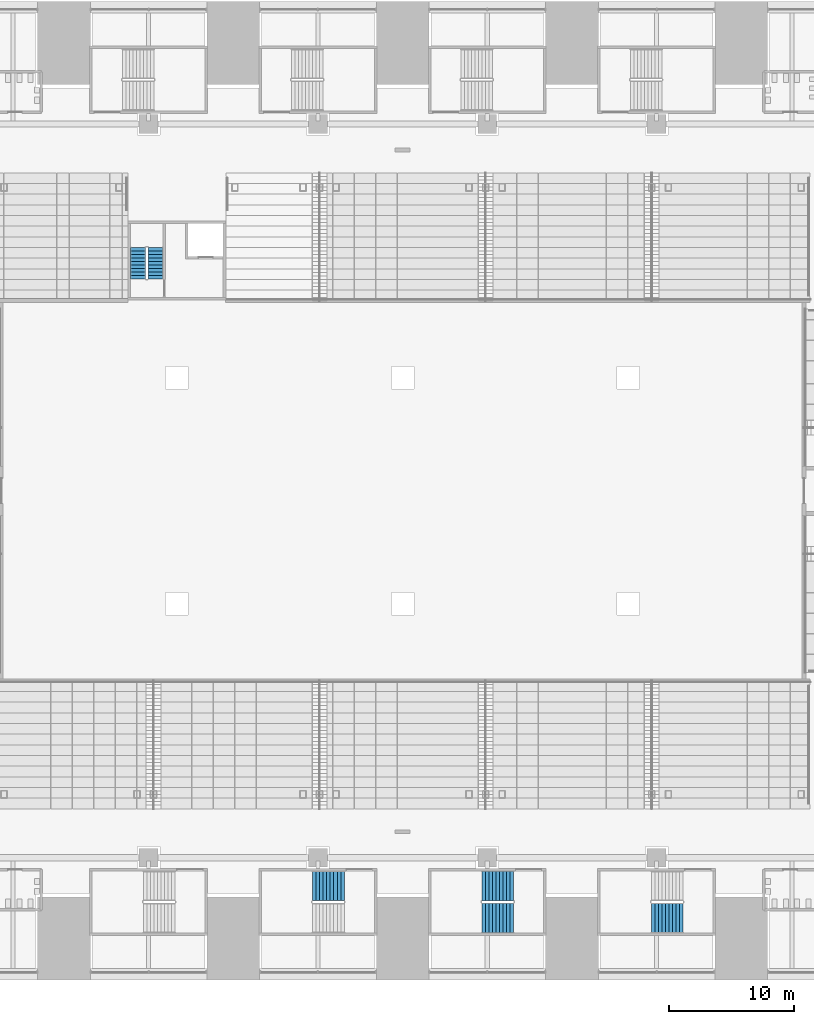
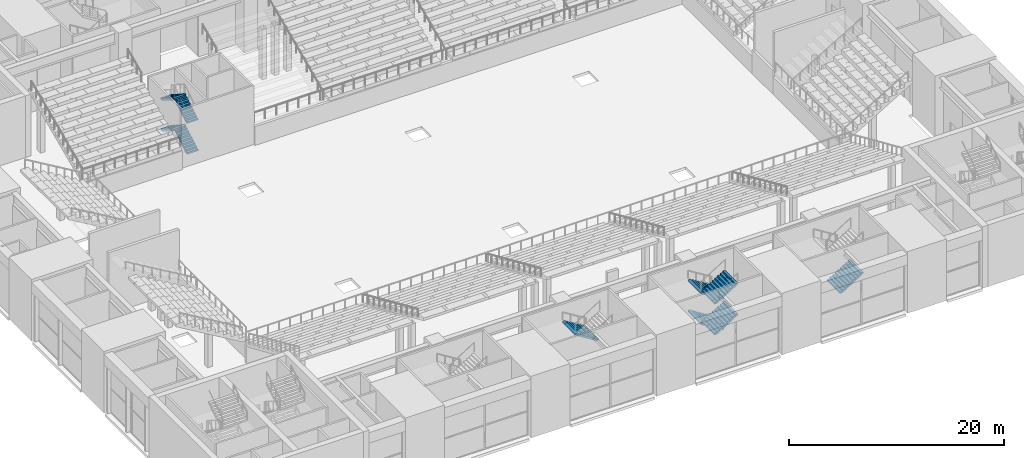
# One storey, part 44 of 62: 10 stair flights, 4 elements without a shape of their own.
"""IFC4 building model written with IfcOpenShell, lengths in metres."""

from ifc_helpers import new_model, si_unit, direction, frame, origin, place, context, subcontext, project, spatial, polyline, outline, extrude, material, type_object, element, aggregate, save


model = new_model("IFC4")

# Units and contexts
model_context = context("Model", 3, precision=1e-05, world=origin(), true_north=direction((0.0, 1.0)))
body_context = subcontext(model_context, "Body", "Model", "MODEL_VIEW")
ifc_project = project(units=[si_unit("LENGTHUNIT", "METRE"), si_unit("AREAUNIT", "SQUARE_METRE"), si_unit("VOLUMEUNIT", "CUBIC_METRE"), si_unit("PLANEANGLEUNIT", "RADIAN"), si_unit("MASSUNIT", "GRAM", prefix="KILO")], contexts=[model_context])

# Site, building, storey
site_placement = place(None, origin())
site = spatial("IfcSite", under=ifc_project, at=site_placement, CompositionType="ELEMENT")
building_placement = place(site_placement, origin())
building = spatial("IfcBuilding", under=site, at=building_placement, Name="Corbelhall Arena Tower", CompositionType="ELEMENT")
storey_placement = place(building_placement, frame((0.0, 0.0, 12.0)))
storey = spatial("IfcBuildingStorey", under=building, at=storey_placement, Name="L01", CompositionType="ELEMENT", Elevation=12.0)

# Stair, stair flight
ifc_material_1 = material(Name="Reinforced concrete C40/50", Category="concrete")
stair_type_1 = type_object("IfcStairType", Name="AR-EXIT-STAIR", PredefinedType="HALF_TURN_STAIR", material=ifc_material_1)
stair_1_placement = place(storey_placement, origin())
stair_1 = element("IfcStair", 1, at=stair_1_placement, inside=storey, type_object=stair_type_1, Name="L01 exit stair AS14", PredefinedType="HALF_TURN_STAIR")
stair_flight_type_1 = type_object("IfcStairFlightType", Name="AR-EXIT-FLIGHT", PredefinedType="STRAIGHT", material=ifc_material_1)
stair_flight_1_placement = place(storey_placement, frame((-4.64990234375, -31.5, 3.5), z_axis=(0.0, 0.0, 1.0), x_axis=(-1.0, 0.0, 0.0)))
stair_flight_1 = element("IfcStairFlight", 2, at=stair_flight_1_placement, type_object=stair_flight_type_1, Name="AS14 flight 3", NumberOfRisers=10, NumberOfTreads=9, PredefinedType="STRAIGHT", RiserHeight=0.175, TreadLength=0.28, context=body_context, shape_type="SweptSolid", body=[
    extrude(outline(polyline([(0.0, 0.0), (0.0, 0.175048828125), (0.280029296875, 0.175048828125), (0.280029296875, 0.35009765625), (0.56005859375, 0.35009765625), (0.56005859375, 0.52490234375), (0.840087890625, 0.52490234375), (0.840087890625, 0.699951171875), (1.1201171875, 0.699951171875), (1.1201171875, 0.875), (1.39990234375, 0.875), (1.39990234375, 1.050048828125), (1.679931640625, 1.050048828125), (1.679931640625, 1.22509765625), (1.9599609375, 1.22509765625), (1.9599609375, 1.39990234375), (2.239990234375, 1.39990234375), (2.239990234375, 1.574951171875), (2.52001953125, 1.574951171875), (2.52001953125, 1.75), (2.52001953125, 1.398193359375), (0.28271484375, 0.0), (0.0, 0.0)])), frame((0.0, 1.199951171875, 0.0), z_axis=(0.0, -1.0, 0.0), x_axis=(1.0, 0.0, 0.0)), (0.0, 0.0, 1.0), 0.449951171875),
    extrude(outline(polyline([(0.0, 0.0), (0.0, 0.175048828125), (0.280029296875, 0.175048828125), (0.280029296875, 0.35009765625), (0.56005859375, 0.35009765625), (0.56005859375, 0.52490234375), (0.840087890625, 0.52490234375), (0.840087890625, 0.699951171875), (1.1201171875, 0.699951171875), (1.1201171875, 0.875), (1.39990234375, 0.875), (1.39990234375, 1.050048828125), (1.679931640625, 1.050048828125), (1.679931640625, 1.22509765625), (1.9599609375, 1.22509765625), (1.9599609375, 1.39990234375), (2.239990234375, 1.39990234375), (2.239990234375, 1.574951171875), (2.52001953125, 1.574951171875), (2.52001953125, 1.75), (2.52001953125, 1.398193359375), (0.28271484375, 0.0), (0.0, 0.0)])), frame((0.0, 0.745849609375, 0.0), z_axis=(0.0, -1.0, 0.0), x_axis=(1.0, 0.0, 0.0)), (0.0, 0.0, 1.0), 0.49462890625),
    extrude(outline(polyline([(0.0, 0.0), (0.0, 0.175048828125), (0.280029296875, 0.175048828125), (0.280029296875, 0.35009765625), (0.56005859375, 0.35009765625), (0.56005859375, 0.52490234375), (0.840087890625, 0.52490234375), (0.840087890625, 0.699951171875), (1.1201171875, 0.699951171875), (1.1201171875, 0.875), (1.39990234375, 0.875), (1.39990234375, 1.050048828125), (1.679931640625, 1.050048828125), (1.679931640625, 1.22509765625), (1.9599609375, 1.22509765625), (1.9599609375, 1.39990234375), (2.239990234375, 1.39990234375), (2.239990234375, 1.574951171875), (2.52001953125, 1.574951171875), (2.52001953125, 1.75), (2.52001953125, 1.398193359375), (0.28271484375, 0.0), (0.0, 0.0)])), frame((0.0, 0.247314453125, 0.0), z_axis=(0.0, -1.0, 0.0), x_axis=(1.0, 0.0, 0.0)), (0.0, 0.0, 1.0), 0.49462890625),
    extrude(outline(polyline([(0.0, 0.0), (0.0, 0.175048828125), (0.280029296875, 0.175048828125), (0.280029296875, 0.35009765625), (0.56005859375, 0.35009765625), (0.56005859375, 0.52490234375), (0.840087890625, 0.52490234375), (0.840087890625, 0.699951171875), (1.1201171875, 0.699951171875), (1.1201171875, 0.875), (1.39990234375, 0.875), (1.39990234375, 1.050048828125), (1.679931640625, 1.050048828125), (1.679931640625, 1.22509765625), (1.9599609375, 1.22509765625), (1.9599609375, 1.39990234375), (2.239990234375, 1.39990234375), (2.239990234375, 1.574951171875), (2.52001953125, 1.574951171875), (2.52001953125, 1.75), (2.52001953125, 1.398193359375), (0.28271484375, 0.0), (0.0, 0.0)])), frame((0.0, -0.251220703125, 0.0), z_axis=(0.0, -1.0, 0.0), x_axis=(1.0, 0.0, 0.0)), (0.0, 0.0, 1.0), 0.49462890625),
    extrude(outline(polyline([(0.0, 0.0), (0.0, 0.175048828125), (0.280029296875, 0.175048828125), (0.280029296875, 0.35009765625), (0.56005859375, 0.35009765625), (0.56005859375, 0.52490234375), (0.840087890625, 0.52490234375), (0.840087890625, 0.699951171875), (1.1201171875, 0.699951171875), (1.1201171875, 0.875), (1.39990234375, 0.875), (1.39990234375, 1.050048828125), (1.679931640625, 1.050048828125), (1.679931640625, 1.22509765625), (1.9599609375, 1.22509765625), (1.9599609375, 1.39990234375), (2.239990234375, 1.39990234375), (2.239990234375, 1.574951171875), (2.52001953125, 1.574951171875), (2.52001953125, 1.75), (2.52001953125, 1.398193359375), (0.28271484375, 0.0), (0.0, 0.0)])), frame((0.0, -0.75, 0.0), z_axis=(0.0, -1.0, 0.0), x_axis=(1.0, 0.0, 0.0)), (0.0, 0.0, 1.0), 0.449951171875),
])
aggregate(stair_1, [stair_flight_1])

# Stair, stair flights
stair_2_placement = place(storey_placement, origin())
stair_2 = element("IfcStair", 3, at=stair_2_placement, inside=storey, type_object=stair_type_1, Name="L01 exit stair AS15", PredefinedType="HALF_TURN_STAIR")
stair_flight_2_placement = place(storey_placement, frame((8.85009765625, -31.5, 0.0), z_axis=(0.0, 0.0, 1.0), x_axis=(-1.0, 0.0, 0.0)))
stair_flight_2 = element("IfcStairFlight", 4, at=stair_flight_2_placement, type_object=stair_flight_type_1, Name="AS15 flight 1", NumberOfRisers=10, NumberOfTreads=9, PredefinedType="STRAIGHT", RiserHeight=0.175, TreadLength=0.28, context=body_context, shape_type="SweptSolid", body=[
    extrude(outline(polyline([(0.0, 0.0), (0.0, 0.175048828125), (0.280029296875, 0.175048828125), (0.280029296875, 0.35009765625), (0.56005859375, 0.35009765625), (0.56005859375, 0.52490234375), (0.840087890625, 0.52490234375), (0.840087890625, 0.699951171875), (1.1201171875, 0.699951171875), (1.1201171875, 0.875), (1.39990234375, 0.875), (1.39990234375, 1.050048828125), (1.679931640625, 1.050048828125), (1.679931640625, 1.22509765625), (1.9599609375, 1.22509765625), (1.9599609375, 1.39990234375), (2.239990234375, 1.39990234375), (2.239990234375, 1.574951171875), (2.52001953125, 1.574951171875), (2.52001953125, 1.75), (2.52001953125, 1.398193359375), (0.28271484375, 0.0), (0.0, 0.0)])), frame((0.0, 1.199951171875, 0.0), z_axis=(0.0, -1.0, 0.0), x_axis=(1.0, 0.0, 0.0)), (0.0, 0.0, 1.0), 0.449951171875),
    extrude(outline(polyline([(0.0, 0.0), (0.0, 0.175048828125), (0.280029296875, 0.175048828125), (0.280029296875, 0.35009765625), (0.56005859375, 0.35009765625), (0.56005859375, 0.52490234375), (0.840087890625, 0.52490234375), (0.840087890625, 0.699951171875), (1.1201171875, 0.699951171875), (1.1201171875, 0.875), (1.39990234375, 0.875), (1.39990234375, 1.050048828125), (1.679931640625, 1.050048828125), (1.679931640625, 1.22509765625), (1.9599609375, 1.22509765625), (1.9599609375, 1.39990234375), (2.239990234375, 1.39990234375), (2.239990234375, 1.574951171875), (2.52001953125, 1.574951171875), (2.52001953125, 1.75), (2.52001953125, 1.398193359375), (0.28271484375, 0.0), (0.0, 0.0)])), frame((0.0, 0.745849609375, 0.0), z_axis=(0.0, -1.0, 0.0), x_axis=(1.0, 0.0, 0.0)), (0.0, 0.0, 1.0), 0.49462890625),
    extrude(outline(polyline([(0.0, 0.0), (0.0, 0.175048828125), (0.280029296875, 0.175048828125), (0.280029296875, 0.35009765625), (0.56005859375, 0.35009765625), (0.56005859375, 0.52490234375), (0.840087890625, 0.52490234375), (0.840087890625, 0.699951171875), (1.1201171875, 0.699951171875), (1.1201171875, 0.875), (1.39990234375, 0.875), (1.39990234375, 1.050048828125), (1.679931640625, 1.050048828125), (1.679931640625, 1.22509765625), (1.9599609375, 1.22509765625), (1.9599609375, 1.39990234375), (2.239990234375, 1.39990234375), (2.239990234375, 1.574951171875), (2.52001953125, 1.574951171875), (2.52001953125, 1.75), (2.52001953125, 1.398193359375), (0.28271484375, 0.0), (0.0, 0.0)])), frame((0.0, 0.247314453125, 0.0), z_axis=(0.0, -1.0, 0.0), x_axis=(1.0, 0.0, 0.0)), (0.0, 0.0, 1.0), 0.49462890625),
    extrude(outline(polyline([(0.0, 0.0), (0.0, 0.175048828125), (0.280029296875, 0.175048828125), (0.280029296875, 0.35009765625), (0.56005859375, 0.35009765625), (0.56005859375, 0.52490234375), (0.840087890625, 0.52490234375), (0.840087890625, 0.699951171875), (1.1201171875, 0.699951171875), (1.1201171875, 0.875), (1.39990234375, 0.875), (1.39990234375, 1.050048828125), (1.679931640625, 1.050048828125), (1.679931640625, 1.22509765625), (1.9599609375, 1.22509765625), (1.9599609375, 1.39990234375), (2.239990234375, 1.39990234375), (2.239990234375, 1.574951171875), (2.52001953125, 1.574951171875), (2.52001953125, 1.75), (2.52001953125, 1.398193359375), (0.28271484375, 0.0), (0.0, 0.0)])), frame((0.0, -0.251220703125, 0.0), z_axis=(0.0, -1.0, 0.0), x_axis=(1.0, 0.0, 0.0)), (0.0, 0.0, 1.0), 0.49462890625),
    extrude(outline(polyline([(0.0, 0.0), (0.0, 0.175048828125), (0.280029296875, 0.175048828125), (0.280029296875, 0.35009765625), (0.56005859375, 0.35009765625), (0.56005859375, 0.52490234375), (0.840087890625, 0.52490234375), (0.840087890625, 0.699951171875), (1.1201171875, 0.699951171875), (1.1201171875, 0.875), (1.39990234375, 0.875), (1.39990234375, 1.050048828125), (1.679931640625, 1.050048828125), (1.679931640625, 1.22509765625), (1.9599609375, 1.22509765625), (1.9599609375, 1.39990234375), (2.239990234375, 1.39990234375), (2.239990234375, 1.574951171875), (2.52001953125, 1.574951171875), (2.52001953125, 1.75), (2.52001953125, 1.398193359375), (0.28271484375, 0.0), (0.0, 0.0)])), frame((0.0, -0.75, 0.0), z_axis=(0.0, -1.0, 0.0), x_axis=(1.0, 0.0, 0.0)), (0.0, 0.0, 1.0), 0.449951171875),
])
stair_flight_3_placement = place(storey_placement, frame((6.330078125, -34.050048828125, 1.75), z_axis=(0.0, 0.0, 1.0), x_axis=(1.0, 0.0, 0.0)))
stair_flight_3 = element("IfcStairFlight", 5, at=stair_flight_3_placement, type_object=stair_flight_type_1, Name="AS15 flight 2", NumberOfRisers=10, NumberOfTreads=9, PredefinedType="STRAIGHT", RiserHeight=0.175, TreadLength=0.28, context=body_context, shape_type="SweptSolid", body=[
    extrude(outline(polyline([(0.0, 0.0), (0.0, 0.175048828125), (0.280029296875, 0.175048828125), (0.280029296875, 0.35009765625), (0.56005859375, 0.35009765625), (0.56005859375, 0.52490234375), (0.840087890625, 0.52490234375), (0.840087890625, 0.699951171875), (1.1201171875, 0.699951171875), (1.1201171875, 0.875), (1.39990234375, 0.875), (1.39990234375, 1.050048828125), (1.679931640625, 1.050048828125), (1.679931640625, 1.22509765625), (1.9599609375, 1.22509765625), (1.9599609375, 1.39990234375), (2.239990234375, 1.39990234375), (2.239990234375, 1.574951171875), (2.52001953125, 1.574951171875), (2.52001953125, 1.75), (2.52001953125, 1.398193359375), (0.28271484375, 0.0), (0.0, 0.0)])), frame((0.0, 1.199951171875, 0.0), z_axis=(0.0, -1.0, 0.0), x_axis=(1.0, 0.0, 0.0)), (0.0, 0.0, 1.0), 0.449951171875),
    extrude(outline(polyline([(0.0, 0.0), (0.0, 0.175048828125), (0.280029296875, 0.175048828125), (0.280029296875, 0.35009765625), (0.56005859375, 0.35009765625), (0.56005859375, 0.52490234375), (0.840087890625, 0.52490234375), (0.840087890625, 0.699951171875), (1.1201171875, 0.699951171875), (1.1201171875, 0.875), (1.39990234375, 0.875), (1.39990234375, 1.050048828125), (1.679931640625, 1.050048828125), (1.679931640625, 1.22509765625), (1.9599609375, 1.22509765625), (1.9599609375, 1.39990234375), (2.239990234375, 1.39990234375), (2.239990234375, 1.574951171875), (2.52001953125, 1.574951171875), (2.52001953125, 1.75), (2.52001953125, 1.398193359375), (0.28271484375, 0.0), (0.0, 0.0)])), frame((0.0, 0.745849609375, 0.0), z_axis=(0.0, -1.0, 0.0), x_axis=(1.0, 0.0, 0.0)), (0.0, 0.0, 1.0), 0.49462890625),
    extrude(outline(polyline([(0.0, 0.0), (0.0, 0.175048828125), (0.280029296875, 0.175048828125), (0.280029296875, 0.35009765625), (0.56005859375, 0.35009765625), (0.56005859375, 0.52490234375), (0.840087890625, 0.52490234375), (0.840087890625, 0.699951171875), (1.1201171875, 0.699951171875), (1.1201171875, 0.875), (1.39990234375, 0.875), (1.39990234375, 1.050048828125), (1.679931640625, 1.050048828125), (1.679931640625, 1.22509765625), (1.9599609375, 1.22509765625), (1.9599609375, 1.39990234375), (2.239990234375, 1.39990234375), (2.239990234375, 1.574951171875), (2.52001953125, 1.574951171875), (2.52001953125, 1.75), (2.52001953125, 1.398193359375), (0.28271484375, 0.0), (0.0, 0.0)])), frame((0.0, 0.247314453125, 0.0), z_axis=(0.0, -1.0, 0.0), x_axis=(1.0, 0.0, 0.0)), (0.0, 0.0, 1.0), 0.49462890625),
    extrude(outline(polyline([(0.0, 0.0), (0.0, 0.175048828125), (0.280029296875, 0.175048828125), (0.280029296875, 0.35009765625), (0.56005859375, 0.35009765625), (0.56005859375, 0.52490234375), (0.840087890625, 0.52490234375), (0.840087890625, 0.699951171875), (1.1201171875, 0.699951171875), (1.1201171875, 0.875), (1.39990234375, 0.875), (1.39990234375, 1.050048828125), (1.679931640625, 1.050048828125), (1.679931640625, 1.22509765625), (1.9599609375, 1.22509765625), (1.9599609375, 1.39990234375), (2.239990234375, 1.39990234375), (2.239990234375, 1.574951171875), (2.52001953125, 1.574951171875), (2.52001953125, 1.75), (2.52001953125, 1.398193359375), (0.28271484375, 0.0), (0.0, 0.0)])), frame((0.0, -0.251220703125, 0.0), z_axis=(0.0, -1.0, 0.0), x_axis=(1.0, 0.0, 0.0)), (0.0, 0.0, 1.0), 0.49462890625),
    extrude(outline(polyline([(0.0, 0.0), (0.0, 0.175048828125), (0.280029296875, 0.175048828125), (0.280029296875, 0.35009765625), (0.56005859375, 0.35009765625), (0.56005859375, 0.52490234375), (0.840087890625, 0.52490234375), (0.840087890625, 0.699951171875), (1.1201171875, 0.699951171875), (1.1201171875, 0.875), (1.39990234375, 0.875), (1.39990234375, 1.050048828125), (1.679931640625, 1.050048828125), (1.679931640625, 1.22509765625), (1.9599609375, 1.22509765625), (1.9599609375, 1.39990234375), (2.239990234375, 1.39990234375), (2.239990234375, 1.574951171875), (2.52001953125, 1.574951171875), (2.52001953125, 1.75), (2.52001953125, 1.398193359375), (0.28271484375, 0.0), (0.0, 0.0)])), frame((0.0, -0.75, 0.0), z_axis=(0.0, -1.0, 0.0), x_axis=(1.0, 0.0, 0.0)), (0.0, 0.0, 1.0), 0.449951171875),
])
stair_flight_4_placement = place(storey_placement, frame((8.85009765625, -31.5, 3.5), z_axis=(0.0, 0.0, 1.0), x_axis=(-1.0, 0.0, 0.0)))
stair_flight_4 = element("IfcStairFlight", 6, at=stair_flight_4_placement, type_object=stair_flight_type_1, Name="AS15 flight 3", NumberOfRisers=10, NumberOfTreads=9, PredefinedType="STRAIGHT", RiserHeight=0.175, TreadLength=0.28, context=body_context, shape_type="SweptSolid", body=[
    extrude(outline(polyline([(0.0, 0.0), (0.0, 0.175048828125), (0.280029296875, 0.175048828125), (0.280029296875, 0.35009765625), (0.56005859375, 0.35009765625), (0.56005859375, 0.52490234375), (0.840087890625, 0.52490234375), (0.840087890625, 0.699951171875), (1.1201171875, 0.699951171875), (1.1201171875, 0.875), (1.39990234375, 0.875), (1.39990234375, 1.050048828125), (1.679931640625, 1.050048828125), (1.679931640625, 1.22509765625), (1.9599609375, 1.22509765625), (1.9599609375, 1.39990234375), (2.239990234375, 1.39990234375), (2.239990234375, 1.574951171875), (2.52001953125, 1.574951171875), (2.52001953125, 1.75), (2.52001953125, 1.398193359375), (0.28271484375, 0.0), (0.0, 0.0)])), frame((0.0, 1.199951171875, 0.0), z_axis=(0.0, -1.0, 0.0), x_axis=(1.0, 0.0, 0.0)), (0.0, 0.0, 1.0), 0.449951171875),
    extrude(outline(polyline([(0.0, 0.0), (0.0, 0.175048828125), (0.280029296875, 0.175048828125), (0.280029296875, 0.35009765625), (0.56005859375, 0.35009765625), (0.56005859375, 0.52490234375), (0.840087890625, 0.52490234375), (0.840087890625, 0.699951171875), (1.1201171875, 0.699951171875), (1.1201171875, 0.875), (1.39990234375, 0.875), (1.39990234375, 1.050048828125), (1.679931640625, 1.050048828125), (1.679931640625, 1.22509765625), (1.9599609375, 1.22509765625), (1.9599609375, 1.39990234375), (2.239990234375, 1.39990234375), (2.239990234375, 1.574951171875), (2.52001953125, 1.574951171875), (2.52001953125, 1.75), (2.52001953125, 1.398193359375), (0.28271484375, 0.0), (0.0, 0.0)])), frame((0.0, 0.745849609375, 0.0), z_axis=(0.0, -1.0, 0.0), x_axis=(1.0, 0.0, 0.0)), (0.0, 0.0, 1.0), 0.49462890625),
    extrude(outline(polyline([(0.0, 0.0), (0.0, 0.175048828125), (0.280029296875, 0.175048828125), (0.280029296875, 0.35009765625), (0.56005859375, 0.35009765625), (0.56005859375, 0.52490234375), (0.840087890625, 0.52490234375), (0.840087890625, 0.699951171875), (1.1201171875, 0.699951171875), (1.1201171875, 0.875), (1.39990234375, 0.875), (1.39990234375, 1.050048828125), (1.679931640625, 1.050048828125), (1.679931640625, 1.22509765625), (1.9599609375, 1.22509765625), (1.9599609375, 1.39990234375), (2.239990234375, 1.39990234375), (2.239990234375, 1.574951171875), (2.52001953125, 1.574951171875), (2.52001953125, 1.75), (2.52001953125, 1.398193359375), (0.28271484375, 0.0), (0.0, 0.0)])), frame((0.0, 0.247314453125, 0.0), z_axis=(0.0, -1.0, 0.0), x_axis=(1.0, 0.0, 0.0)), (0.0, 0.0, 1.0), 0.49462890625),
    extrude(outline(polyline([(0.0, 0.0), (0.0, 0.175048828125), (0.280029296875, 0.175048828125), (0.280029296875, 0.35009765625), (0.56005859375, 0.35009765625), (0.56005859375, 0.52490234375), (0.840087890625, 0.52490234375), (0.840087890625, 0.699951171875), (1.1201171875, 0.699951171875), (1.1201171875, 0.875), (1.39990234375, 0.875), (1.39990234375, 1.050048828125), (1.679931640625, 1.050048828125), (1.679931640625, 1.22509765625), (1.9599609375, 1.22509765625), (1.9599609375, 1.39990234375), (2.239990234375, 1.39990234375), (2.239990234375, 1.574951171875), (2.52001953125, 1.574951171875), (2.52001953125, 1.75), (2.52001953125, 1.398193359375), (0.28271484375, 0.0), (0.0, 0.0)])), frame((0.0, -0.251220703125, 0.0), z_axis=(0.0, -1.0, 0.0), x_axis=(1.0, 0.0, 0.0)), (0.0, 0.0, 1.0), 0.49462890625),
    extrude(outline(polyline([(0.0, 0.0), (0.0, 0.175048828125), (0.280029296875, 0.175048828125), (0.280029296875, 0.35009765625), (0.56005859375, 0.35009765625), (0.56005859375, 0.52490234375), (0.840087890625, 0.52490234375), (0.840087890625, 0.699951171875), (1.1201171875, 0.699951171875), (1.1201171875, 0.875), (1.39990234375, 0.875), (1.39990234375, 1.050048828125), (1.679931640625, 1.050048828125), (1.679931640625, 1.22509765625), (1.9599609375, 1.22509765625), (1.9599609375, 1.39990234375), (2.239990234375, 1.39990234375), (2.239990234375, 1.574951171875), (2.52001953125, 1.574951171875), (2.52001953125, 1.75), (2.52001953125, 1.398193359375), (0.28271484375, 0.0), (0.0, 0.0)])), frame((0.0, -0.75, 0.0), z_axis=(0.0, -1.0, 0.0), x_axis=(1.0, 0.0, 0.0)), (0.0, 0.0, 1.0), 0.449951171875),
])
stair_flight_5_placement = place(storey_placement, frame((6.330078125, -34.050048828125, 5.25), z_axis=(0.0, 0.0, 1.0), x_axis=(1.0, 0.0, 0.0)))
stair_flight_5 = element("IfcStairFlight", 7, at=stair_flight_5_placement, type_object=stair_flight_type_1, Name="AS15 flight 4", NumberOfRisers=10, NumberOfTreads=9, PredefinedType="STRAIGHT", RiserHeight=0.175, TreadLength=0.28, context=body_context, shape_type="SweptSolid", body=[
    extrude(outline(polyline([(0.0, 0.0), (0.0, 0.175048828125), (0.280029296875, 0.175048828125), (0.280029296875, 0.35009765625), (0.56005859375, 0.35009765625), (0.56005859375, 0.52490234375), (0.840087890625, 0.52490234375), (0.840087890625, 0.699951171875), (1.1201171875, 0.699951171875), (1.1201171875, 0.875), (1.39990234375, 0.875), (1.39990234375, 1.050048828125), (1.679931640625, 1.050048828125), (1.679931640625, 1.22509765625), (1.9599609375, 1.22509765625), (1.9599609375, 1.39990234375), (2.239990234375, 1.39990234375), (2.239990234375, 1.574951171875), (2.52001953125, 1.574951171875), (2.52001953125, 1.75), (2.52001953125, 1.398193359375), (0.28271484375, 0.0), (0.0, 0.0)])), frame((0.0, 1.199951171875, 0.0), z_axis=(0.0, -1.0, 0.0), x_axis=(1.0, 0.0, 0.0)), (0.0, 0.0, 1.0), 0.449951171875),
    extrude(outline(polyline([(0.0, 0.0), (0.0, 0.175048828125), (0.280029296875, 0.175048828125), (0.280029296875, 0.35009765625), (0.56005859375, 0.35009765625), (0.56005859375, 0.52490234375), (0.840087890625, 0.52490234375), (0.840087890625, 0.699951171875), (1.1201171875, 0.699951171875), (1.1201171875, 0.875), (1.39990234375, 0.875), (1.39990234375, 1.050048828125), (1.679931640625, 1.050048828125), (1.679931640625, 1.22509765625), (1.9599609375, 1.22509765625), (1.9599609375, 1.39990234375), (2.239990234375, 1.39990234375), (2.239990234375, 1.574951171875), (2.52001953125, 1.574951171875), (2.52001953125, 1.75), (2.52001953125, 1.398193359375), (0.28271484375, 0.0), (0.0, 0.0)])), frame((0.0, 0.745849609375, 0.0), z_axis=(0.0, -1.0, 0.0), x_axis=(1.0, 0.0, 0.0)), (0.0, 0.0, 1.0), 0.49462890625),
    extrude(outline(polyline([(0.0, 0.0), (0.0, 0.175048828125), (0.280029296875, 0.175048828125), (0.280029296875, 0.35009765625), (0.56005859375, 0.35009765625), (0.56005859375, 0.52490234375), (0.840087890625, 0.52490234375), (0.840087890625, 0.699951171875), (1.1201171875, 0.699951171875), (1.1201171875, 0.875), (1.39990234375, 0.875), (1.39990234375, 1.050048828125), (1.679931640625, 1.050048828125), (1.679931640625, 1.22509765625), (1.9599609375, 1.22509765625), (1.9599609375, 1.39990234375), (2.239990234375, 1.39990234375), (2.239990234375, 1.574951171875), (2.52001953125, 1.574951171875), (2.52001953125, 1.75), (2.52001953125, 1.398193359375), (0.28271484375, 0.0), (0.0, 0.0)])), frame((0.0, 0.247314453125, 0.0), z_axis=(0.0, -1.0, 0.0), x_axis=(1.0, 0.0, 0.0)), (0.0, 0.0, 1.0), 0.49462890625),
    extrude(outline(polyline([(0.0, 0.0), (0.0, 0.175048828125), (0.280029296875, 0.175048828125), (0.280029296875, 0.35009765625), (0.56005859375, 0.35009765625), (0.56005859375, 0.52490234375), (0.840087890625, 0.52490234375), (0.840087890625, 0.699951171875), (1.1201171875, 0.699951171875), (1.1201171875, 0.875), (1.39990234375, 0.875), (1.39990234375, 1.050048828125), (1.679931640625, 1.050048828125), (1.679931640625, 1.22509765625), (1.9599609375, 1.22509765625), (1.9599609375, 1.39990234375), (2.239990234375, 1.39990234375), (2.239990234375, 1.574951171875), (2.52001953125, 1.574951171875), (2.52001953125, 1.75), (2.52001953125, 1.398193359375), (0.28271484375, 0.0), (0.0, 0.0)])), frame((0.0, -0.251220703125, 0.0), z_axis=(0.0, -1.0, 0.0), x_axis=(1.0, 0.0, 0.0)), (0.0, 0.0, 1.0), 0.49462890625),
    extrude(outline(polyline([(0.0, 0.0), (0.0, 0.175048828125), (0.280029296875, 0.175048828125), (0.280029296875, 0.35009765625), (0.56005859375, 0.35009765625), (0.56005859375, 0.52490234375), (0.840087890625, 0.52490234375), (0.840087890625, 0.699951171875), (1.1201171875, 0.699951171875), (1.1201171875, 0.875), (1.39990234375, 0.875), (1.39990234375, 1.050048828125), (1.679931640625, 1.050048828125), (1.679931640625, 1.22509765625), (1.9599609375, 1.22509765625), (1.9599609375, 1.39990234375), (2.239990234375, 1.39990234375), (2.239990234375, 1.574951171875), (2.52001953125, 1.574951171875), (2.52001953125, 1.75), (2.52001953125, 1.398193359375), (0.28271484375, 0.0), (0.0, 0.0)])), frame((0.0, -0.75, 0.0), z_axis=(0.0, -1.0, 0.0), x_axis=(1.0, 0.0, 0.0)), (0.0, 0.0, 1.0), 0.449951171875),
])
aggregate(stair_2, [stair_flight_2, stair_flight_3, stair_flight_4, stair_flight_5])

# Stair, stair flight
stair_3_placement = place(storey_placement, origin())
stair_3 = element("IfcStair", 8, at=stair_3_placement, inside=storey, type_object=stair_type_1, Name="L01 exit stair AS16", PredefinedType="HALF_TURN_STAIR")
stair_flight_6_placement = place(storey_placement, frame((19.830078125, -34.050048828125, 1.75), z_axis=(0.0, 0.0, 1.0), x_axis=(1.0, 0.0, 0.0)))
stair_flight_6 = element("IfcStairFlight", 9, at=stair_flight_6_placement, type_object=stair_flight_type_1, Name="AS16 flight 2", NumberOfRisers=10, NumberOfTreads=9, PredefinedType="STRAIGHT", RiserHeight=0.175, TreadLength=0.28, context=body_context, shape_type="SweptSolid", body=[
    extrude(outline(polyline([(0.0, 0.0), (0.0, 0.175048828125), (0.280029296875, 0.175048828125), (0.280029296875, 0.35009765625), (0.56005859375, 0.35009765625), (0.56005859375, 0.52490234375), (0.840087890625, 0.52490234375), (0.840087890625, 0.699951171875), (1.1201171875, 0.699951171875), (1.1201171875, 0.875), (1.39990234375, 0.875), (1.39990234375, 1.050048828125), (1.679931640625, 1.050048828125), (1.679931640625, 1.22509765625), (1.9599609375, 1.22509765625), (1.9599609375, 1.39990234375), (2.239990234375, 1.39990234375), (2.239990234375, 1.574951171875), (2.52001953125, 1.574951171875), (2.52001953125, 1.75), (2.52001953125, 1.398193359375), (0.28271484375, 0.0), (0.0, 0.0)])), frame((0.0, 1.199951171875, 0.0), z_axis=(0.0, -1.0, 0.0), x_axis=(1.0, 0.0, 0.0)), (0.0, 0.0, 1.0), 0.449951171875),
    extrude(outline(polyline([(0.0, 0.0), (0.0, 0.175048828125), (0.280029296875, 0.175048828125), (0.280029296875, 0.35009765625), (0.56005859375, 0.35009765625), (0.56005859375, 0.52490234375), (0.840087890625, 0.52490234375), (0.840087890625, 0.699951171875), (1.1201171875, 0.699951171875), (1.1201171875, 0.875), (1.39990234375, 0.875), (1.39990234375, 1.050048828125), (1.679931640625, 1.050048828125), (1.679931640625, 1.22509765625), (1.9599609375, 1.22509765625), (1.9599609375, 1.39990234375), (2.239990234375, 1.39990234375), (2.239990234375, 1.574951171875), (2.52001953125, 1.574951171875), (2.52001953125, 1.75), (2.52001953125, 1.398193359375), (0.28271484375, 0.0), (0.0, 0.0)])), frame((0.0, 0.745849609375, 0.0), z_axis=(0.0, -1.0, 0.0), x_axis=(1.0, 0.0, 0.0)), (0.0, 0.0, 1.0), 0.49462890625),
    extrude(outline(polyline([(0.0, 0.0), (0.0, 0.175048828125), (0.280029296875, 0.175048828125), (0.280029296875, 0.35009765625), (0.56005859375, 0.35009765625), (0.56005859375, 0.52490234375), (0.840087890625, 0.52490234375), (0.840087890625, 0.699951171875), (1.1201171875, 0.699951171875), (1.1201171875, 0.875), (1.39990234375, 0.875), (1.39990234375, 1.050048828125), (1.679931640625, 1.050048828125), (1.679931640625, 1.22509765625), (1.9599609375, 1.22509765625), (1.9599609375, 1.39990234375), (2.239990234375, 1.39990234375), (2.239990234375, 1.574951171875), (2.52001953125, 1.574951171875), (2.52001953125, 1.75), (2.52001953125, 1.398193359375), (0.28271484375, 0.0), (0.0, 0.0)])), frame((0.0, 0.247314453125, 0.0), z_axis=(0.0, -1.0, 0.0), x_axis=(1.0, 0.0, 0.0)), (0.0, 0.0, 1.0), 0.49462890625),
    extrude(outline(polyline([(0.0, 0.0), (0.0, 0.175048828125), (0.280029296875, 0.175048828125), (0.280029296875, 0.35009765625), (0.56005859375, 0.35009765625), (0.56005859375, 0.52490234375), (0.840087890625, 0.52490234375), (0.840087890625, 0.699951171875), (1.1201171875, 0.699951171875), (1.1201171875, 0.875), (1.39990234375, 0.875), (1.39990234375, 1.050048828125), (1.679931640625, 1.050048828125), (1.679931640625, 1.22509765625), (1.9599609375, 1.22509765625), (1.9599609375, 1.39990234375), (2.239990234375, 1.39990234375), (2.239990234375, 1.574951171875), (2.52001953125, 1.574951171875), (2.52001953125, 1.75), (2.52001953125, 1.398193359375), (0.28271484375, 0.0), (0.0, 0.0)])), frame((0.0, -0.251220703125, 0.0), z_axis=(0.0, -1.0, 0.0), x_axis=(1.0, 0.0, 0.0)), (0.0, 0.0, 1.0), 0.49462890625),
    extrude(outline(polyline([(0.0, 0.0), (0.0, 0.175048828125), (0.280029296875, 0.175048828125), (0.280029296875, 0.35009765625), (0.56005859375, 0.35009765625), (0.56005859375, 0.52490234375), (0.840087890625, 0.52490234375), (0.840087890625, 0.699951171875), (1.1201171875, 0.699951171875), (1.1201171875, 0.875), (1.39990234375, 0.875), (1.39990234375, 1.050048828125), (1.679931640625, 1.050048828125), (1.679931640625, 1.22509765625), (1.9599609375, 1.22509765625), (1.9599609375, 1.39990234375), (2.239990234375, 1.39990234375), (2.239990234375, 1.574951171875), (2.52001953125, 1.574951171875), (2.52001953125, 1.75), (2.52001953125, 1.398193359375), (0.28271484375, 0.0), (0.0, 0.0)])), frame((0.0, -0.75, 0.0), z_axis=(0.0, -1.0, 0.0), x_axis=(1.0, 0.0, 0.0)), (0.0, 0.0, 1.0), 0.449951171875),
])
aggregate(stair_3, [stair_flight_6])

# Stair, stair flights
ifc_material_2 = material(Name="Concrete C40/50", Category="concrete")
stair_type_2 = type_object("IfcStairType", Name="IN-ST-TOWER", PredefinedType="HALF_TURN_STAIR", material=ifc_material_2)
stair_4_placement = place(storey_placement, origin())
stair_4 = element("IfcStair", 10, at=stair_4_placement, inside=storey, type_object=stair_type_2, Name="L01 Exit stair AS17", PredefinedType="HALF_TURN_STAIR")
stair_flight_type_2 = type_object("IfcStairFlightType", Name="IN-SFL-RC", PredefinedType="STRAIGHT", material=ifc_material_2)
stair_flight_7_placement = place(storey_placement, frame((-19.695068359375, 16.89990234375, 0.0), z_axis=(0.0, 0.0, 1.0), x_axis=(0.0, 1.0, 0.0)))
stair_flight_7 = element("IfcStairFlight", 11, at=stair_flight_7_placement, type_object=stair_flight_type_2, Name="AS17 flight 1", NumberOfRisers=10, NumberOfTreads=9, PredefinedType="STRAIGHT", RiserHeight=0.175, TreadLength=0.28, context=body_context, shape_type="SweptSolid", body=[
    extrude(outline(polyline([(0.0, 0.0), (0.0, 0.175048828125), (0.280029296875, 0.175048828125), (0.280029296875, 0.35009765625), (0.56005859375, 0.35009765625), (0.56005859375, 0.52490234375), (0.840087890625, 0.52490234375), (0.840087890625, 0.699951171875), (1.1201171875, 0.699951171875), (1.1201171875, 0.875), (1.39990234375, 0.875), (1.39990234375, 1.050048828125), (1.679931640625, 1.050048828125), (1.679931640625, 1.22509765625), (1.9599609375, 1.22509765625), (1.9599609375, 1.39990234375), (2.239990234375, 1.39990234375), (2.239990234375, 1.574951171875), (2.52001953125, 1.574951171875), (2.52001953125, 1.75), (2.52001953125, 1.398193359375), (0.28271484375, 0.0), (0.0, 0.0)])), frame((0.0, 0.60009765625, 0.0), z_axis=(0.0, -1.0, 0.0), x_axis=(1.0, 0.0, 0.0)), (0.0, 0.0, 1.0), 1.199951171875),
])
stair_flight_8_placement = place(storey_placement, frame((-21.094970703125, 19.419921875, 1.75), z_axis=(0.0, 0.0, 1.0), x_axis=(0.0, -1.0, 0.0)))
stair_flight_8 = element("IfcStairFlight", 12, at=stair_flight_8_placement, type_object=stair_flight_type_2, Name="AS17 flight 2", NumberOfRisers=10, NumberOfTreads=9, PredefinedType="STRAIGHT", RiserHeight=0.175, TreadLength=0.28, context=body_context, shape_type="SweptSolid", body=[
    extrude(outline(polyline([(0.0, 0.0), (0.0, 0.175048828125), (0.280029296875, 0.175048828125), (0.280029296875, 0.35009765625), (0.56005859375, 0.35009765625), (0.56005859375, 0.52490234375), (0.840087890625, 0.52490234375), (0.840087890625, 0.699951171875), (1.1201171875, 0.699951171875), (1.1201171875, 0.875), (1.39990234375, 0.875), (1.39990234375, 1.050048828125), (1.679931640625, 1.050048828125), (1.679931640625, 1.22509765625), (1.9599609375, 1.22509765625), (1.9599609375, 1.39990234375), (2.239990234375, 1.39990234375), (2.239990234375, 1.574951171875), (2.52001953125, 1.574951171875), (2.52001953125, 1.75), (2.52001953125, 1.398193359375), (0.28271484375, 0.0), (0.0, 0.0)])), frame((0.0, 0.60009765625, 0.0), z_axis=(0.0, -1.0, 0.0), x_axis=(1.0, 0.0, 0.0)), (0.0, 0.0, 1.0), 1.199951171875),
])
stair_flight_9_placement = place(storey_placement, frame((-19.695068359375, 16.89990234375, 3.5), z_axis=(0.0, 0.0, 1.0), x_axis=(0.0, 1.0, 0.0)))
stair_flight_9 = element("IfcStairFlight", 13, at=stair_flight_9_placement, type_object=stair_flight_type_2, Name="AS17 flight 3", NumberOfRisers=10, NumberOfTreads=9, PredefinedType="STRAIGHT", RiserHeight=0.175, TreadLength=0.28, context=body_context, shape_type="SweptSolid", body=[
    extrude(outline(polyline([(0.0, 0.0), (0.0, 0.175048828125), (0.280029296875, 0.175048828125), (0.280029296875, 0.35009765625), (0.56005859375, 0.35009765625), (0.56005859375, 0.52490234375), (0.840087890625, 0.52490234375), (0.840087890625, 0.699951171875), (1.1201171875, 0.699951171875), (1.1201171875, 0.875), (1.39990234375, 0.875), (1.39990234375, 1.050048828125), (1.679931640625, 1.050048828125), (1.679931640625, 1.22509765625), (1.9599609375, 1.22509765625), (1.9599609375, 1.39990234375), (2.239990234375, 1.39990234375), (2.239990234375, 1.574951171875), (2.52001953125, 1.574951171875), (2.52001953125, 1.75), (2.52001953125, 1.398193359375), (0.28271484375, 0.0), (0.0, 0.0)])), frame((0.0, 0.60009765625, 0.0), z_axis=(0.0, -1.0, 0.0), x_axis=(1.0, 0.0, 0.0)), (0.0, 0.0, 1.0), 1.199951171875),
])
stair_flight_10_placement = place(storey_placement, frame((-21.094970703125, 19.419921875, 5.25), z_axis=(0.0, 0.0, 1.0), x_axis=(0.0, -1.0, 0.0)))
stair_flight_10 = element("IfcStairFlight", 14, at=stair_flight_10_placement, type_object=stair_flight_type_2, Name="AS17 flight 4", NumberOfRisers=10, NumberOfTreads=9, PredefinedType="STRAIGHT", RiserHeight=0.175, TreadLength=0.28, context=body_context, shape_type="SweptSolid", body=[
    extrude(outline(polyline([(0.0, 0.0), (0.0, 0.175048828125), (0.280029296875, 0.175048828125), (0.280029296875, 0.35009765625), (0.56005859375, 0.35009765625), (0.56005859375, 0.52490234375), (0.840087890625, 0.52490234375), (0.840087890625, 0.699951171875), (1.1201171875, 0.699951171875), (1.1201171875, 0.875), (1.39990234375, 0.875), (1.39990234375, 1.050048828125), (1.679931640625, 1.050048828125), (1.679931640625, 1.22509765625), (1.9599609375, 1.22509765625), (1.9599609375, 1.39990234375), (2.239990234375, 1.39990234375), (2.239990234375, 1.574951171875), (2.52001953125, 1.574951171875), (2.52001953125, 1.75), (2.52001953125, 1.398193359375), (0.28271484375, 0.0), (0.0, 0.0)])), frame((0.0, 0.60009765625, 0.0), z_axis=(0.0, -1.0, 0.0), x_axis=(1.0, 0.0, 0.0)), (0.0, 0.0, 1.0), 1.199951171875),
])
aggregate(stair_4, [stair_flight_7, stair_flight_8, stair_flight_9, stair_flight_10])

save(model, "model.ifc")
